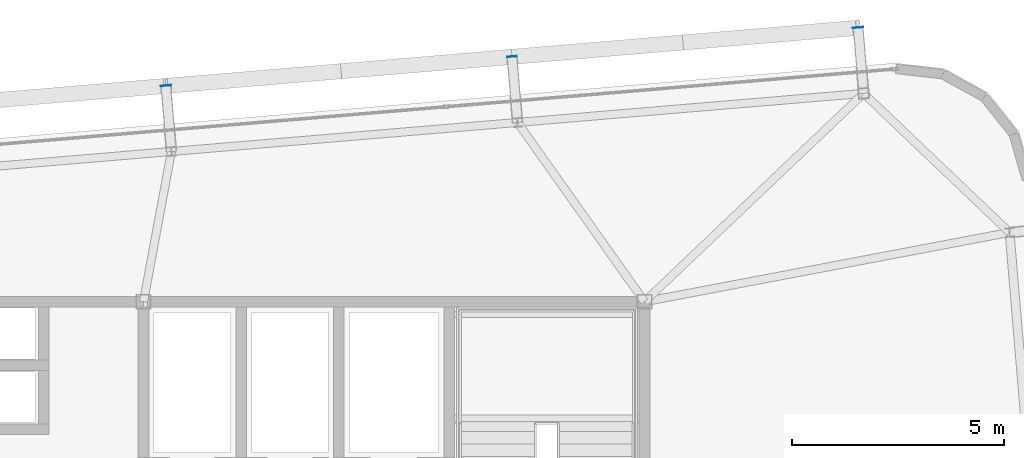
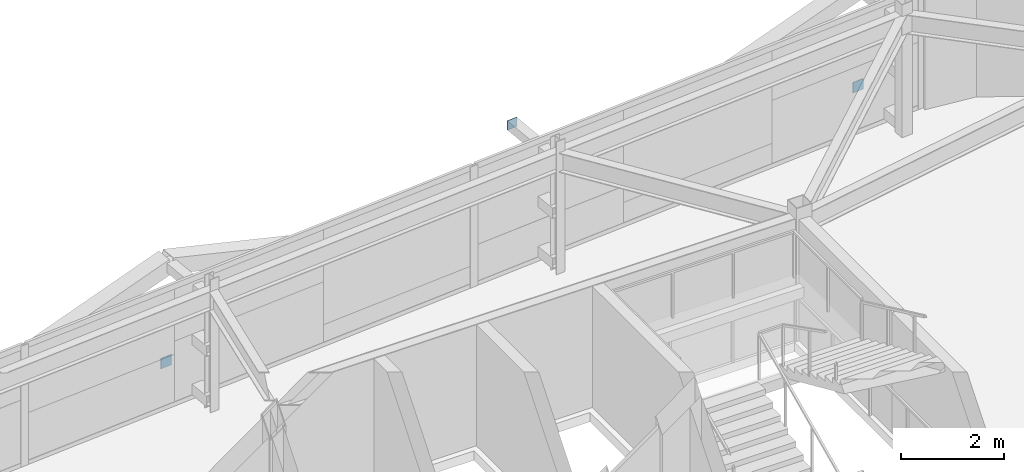
# One storey, part 33 of 39: 3 plates.
"""IFC4 building model written with IfcOpenShell, lengths in metres."""

from ifc_helpers import new_model, si_unit, direction, frame, origin, origin_2d, place, context, subcontext, project, spatial, rectangle, extrude, source, transform, mapped, material, layer, layer_set, type_object, element, save


model = new_model("IFC4")

# Units and contexts
model_context = context("Model", 3, precision=1e-05, world=origin(), true_north=direction((0.0, 1.0)))
body_context = subcontext(model_context, "Body", "Model", "MODEL_VIEW")
ifc_project = project(units=[si_unit("LENGTHUNIT", "METRE"), si_unit("AREAUNIT", "SQUARE_METRE"), si_unit("VOLUMEUNIT", "CUBIC_METRE"), si_unit("PLANEANGLEUNIT", "RADIAN"), si_unit("MASSUNIT", "GRAM", prefix="KILO")], contexts=[model_context])

# Site, building, storey
site_placement = place(None, origin())
site = spatial("IfcSite", under=ifc_project, at=site_placement, CompositionType="ELEMENT")
building_placement = place(site_placement, origin())
building = spatial("IfcBuilding", under=site, at=building_placement, Name="Taldren Reach Tower", CompositionType="ELEMENT")
storey_placement = place(building_placement, frame((0.0, 0.0, 204.050048828125)))
storey = spatial("IfcBuildingStorey", under=building, at=storey_placement, Name="L62", CompositionType="ELEMENT", Elevation=204.050048828125)

# Plates
ifc_material_1 = material(Name="Steel Gr 350 (C350L0)", Category="steel")
ifc_layer_1 = layer(ifc_material_1, 0.011962890625)
ifc_layer_set_1 = layer_set([ifc_layer_1], Name="Steel Gr 350 (C350L0)")
plate_type_1 = type_object("IfcPlateType", Name="PL-CAP-250", PredefinedType="SHEET", material=ifc_layer_set_1)
shared_shape_1 = source(origin(), body_context, "Body", "SweptSolid", [
    extrude(rectangle(XDim=0.25, YDim=0.011962890625, at=origin_2d()), origin(), (0.0, 0.0, 1.0), 0.25),
])
for number, where, z_axis, x_axis, name in (
    (1, (39.7275390625, 37.087646484375, 0.094970703125), (0.0, 0.0, 1.0), (0.99649285925, 0.083677843332, 0.0), "Tie strut end cap plate B4-N4 L62"),
    (2, (56.030029296875, 38.45654296875, 0.094970703125), (0.0, 0.0, 1.0), (0.99649285925, 0.083677843332, 0.0), "Tie strut end cap plate B4-N6 L62"),
):
    element("IfcPlate", number, at=place(storey_placement, frame(where, z_axis=z_axis, x_axis=x_axis)), inside=storey, type_object=plate_type_1, Name=name, PredefinedType="SHEET", context=body_context, shape_type="MappedRepresentation", body=[
        mapped(shared_shape_1, transform((0.0, 0.0, 0.0), scale=1.0)),
    ])
ifc_material_2 = material(Name="Steel Gr 450 (C450L0)", Category="steel")
ifc_layer_2 = layer(ifc_material_2, 0.011962890625)
ifc_layer_set_2 = layer_set([ifc_layer_2], Name="Steel Gr 450 (C450L0)")
plate_type_2 = type_object("IfcPlateType", Name="PL-CAP-220", PredefinedType="SHEET", material=ifc_layer_set_2)
shared_shape_2 = source(origin(), body_context, "Body", "SweptSolid", [
    extrude(rectangle(XDim=0.219970703125, YDim=0.011962890625, at=origin_2d()), origin(), (0.0, 0.0, 1.0), 0.219970703125),
])
plate_placement = place(storey_placement, frame((47.87890625, 37.77197265625, 2.47998046875), z_axis=(0.0, 0.0, 1.0), x_axis=(0.99649285925, 0.083677843332, 0.0)))
element("IfcPlate", 3, at=plate_placement, inside=storey, type_object=plate_type_2, Name="Tie strut end cap plate B4-N5 L62", PredefinedType="SHEET", context=body_context, shape_type="MappedRepresentation", body=[
    mapped(shared_shape_2, transform((0.0, 0.0, 0.0), scale=1.0)),
])

save(model, "model.ifc")
